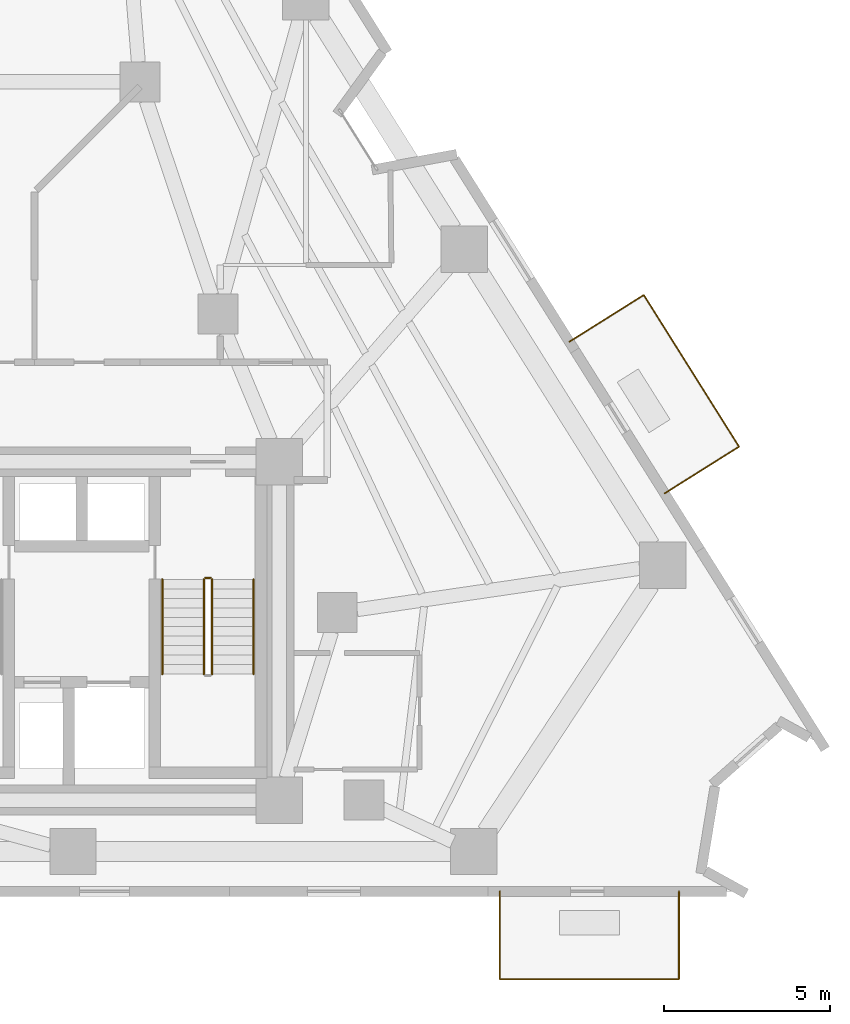
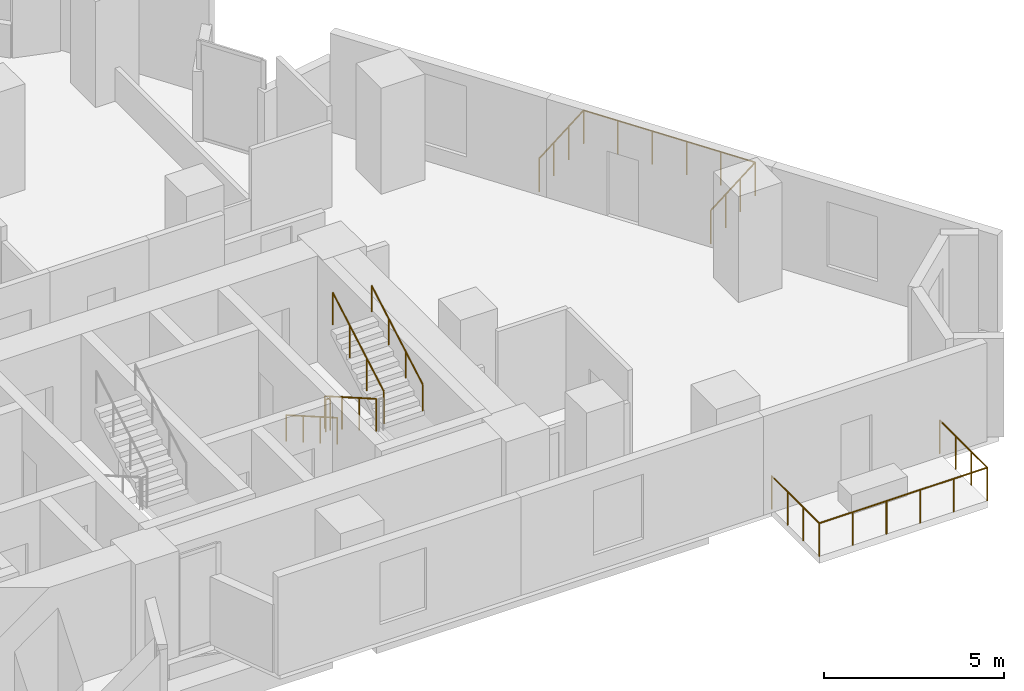
# One storey, part 11 of 12: 7 railings.
"""IFC4 building model written with IfcOpenShell, lengths in metres."""

from ifc_helpers import new_model, si_unit, direction, frame, origin, origin_2d, place, context, subcontext, project, spatial, circle, extrude, material, type_object, element, save


model = new_model("IFC4")

# Units and contexts
model_context = context("Model", 3, precision=1e-05, world=origin(), true_north=direction((0.0, 1.0)))
body_context = subcontext(model_context, "Body", "Model", "MODEL_VIEW")
ifc_project = project(units=[si_unit("LENGTHUNIT", "METRE"), si_unit("AREAUNIT", "SQUARE_METRE"), si_unit("VOLUMEUNIT", "CUBIC_METRE"), si_unit("PLANEANGLEUNIT", "RADIAN"), si_unit("MASSUNIT", "GRAM", prefix="KILO")], contexts=[model_context])

# Site, building, storey
site_placement = place(None, origin())
site = spatial("IfcSite", under=ifc_project, at=site_placement, CompositionType="ELEMENT")
building_placement = place(site_placement, origin())
building = spatial("IfcBuilding", under=site, at=building_placement, Name="Almagre Mirador Tower", CompositionType="ELEMENT")
storey_placement = place(building_placement, frame((0.0, 0.0, 71.39990234375)))
storey = spatial("IfcBuildingStorey", under=building, at=storey_placement, Name="L17", CompositionType="ELEMENT", Elevation=71.39990234375)

# Railings
ifc_material_1 = material(Name="Black anodized aluminium", Category="aluminium")
railing_type_1 = type_object("IfcRailingType", Name="RLG-BAL-1150", PredefinedType="BALUSTRADE", material=ifc_material_1)
railing_1_placement = place(storey_placement, frame((53.699951171875, 1.800048828125, 0.0)))
element("IfcRailing", 1, at=railing_1_placement, inside=storey, type_object=railing_type_1, Name="L17 south balcony balustrade 1", PredefinedType="BALUSTRADE", context=body_context, shape_type="SweptSolid", body=[
    extrude(circle(Radius=0.02392578125, at=origin_2d()), frame((0.0, 0.0, 1.1259765625), z_axis=(0.0, -1.0, 0.0), x_axis=(1.0, 0.0, 0.0)), (0.0, 0.0, 1.0), 2.650146484375),
    extrude(circle(Radius=0.02392578125, at=origin_2d()), frame((0.0, -2.650146484375, 1.1259765625), z_axis=(1.0, 0.0, 0.0), x_axis=(0.0, 1.0, 0.0)), (0.0, 0.0, 1.0), 5.400146484375),
    extrude(circle(Radius=0.02392578125, at=origin_2d()), frame((5.400146484375, -2.650146484375, 1.1259765625), z_axis=(0.0, 1.0, 0.0), x_axis=(-1.0, 0.0, 0.0)), (0.0, 0.0, 1.0), 2.650146484375),
    extrude(circle(Radius=0.02099609375, at=origin_2d()), origin(), (0.0, 0.0, 1.0), 1.101806640625),
    extrude(circle(Radius=0.02099609375, at=origin_2d()), frame((0.0, -0.88330078125, 0.0)), (0.0, 0.0, 1.0), 1.101806640625),
    extrude(circle(Radius=0.02099609375, at=origin_2d()), frame((0.0, -1.766845703125, 0.0)), (0.0, 0.0, 1.0), 1.101806640625),
    extrude(circle(Radius=0.02099609375, at=origin_2d()), frame((0.0, -2.650146484375, 0.0)), (0.0, 0.0, 1.0), 1.101806640625),
    extrude(circle(Radius=0.02099609375, at=origin_2d()), frame((1.080078125, -2.650146484375, 0.0)), (0.0, 0.0, 1.0), 1.101806640625),
    extrude(circle(Radius=0.02099609375, at=origin_2d()), frame((2.16015625, -2.650146484375, 0.0)), (0.0, 0.0, 1.0), 1.101806640625),
    extrude(circle(Radius=0.02099609375, at=origin_2d()), frame((3.239990234375, -2.650146484375, 0.0)), (0.0, 0.0, 1.0), 1.101806640625),
    extrude(circle(Radius=0.02099609375, at=origin_2d()), frame((4.320068359375, -2.650146484375, 0.0)), (0.0, 0.0, 1.0), 1.101806640625),
    extrude(circle(Radius=0.02099609375, at=origin_2d()), frame((5.400146484375, -2.650146484375, 0.0)), (0.0, 0.0, 1.0), 1.101806640625),
    extrude(circle(Radius=0.02099609375, at=origin_2d()), frame((5.400146484375, -1.766845703125, 0.0)), (0.0, 0.0, 1.0), 1.101806640625),
    extrude(circle(Radius=0.02099609375, at=origin_2d()), frame((5.400146484375, -0.88330078125, 0.0)), (0.0, 0.0, 1.0), 1.101806640625),
    extrude(circle(Radius=0.02099609375, at=origin_2d()), frame((5.400146484375, 0.0, 0.0)), (0.0, 0.0, 1.0), 1.101806640625),
])
railing_2_placement = place(storey_placement, frame((58.666015625, 13.7939453125, 0.0)))
element("IfcRailing", 2, at=railing_2_placement, inside=storey, type_object=railing_type_1, Name="L17 east balcony balustrade 2", PredefinedType="BALUSTRADE", context=body_context, shape_type="SweptSolid", body=[
    extrude(circle(Radius=0.02392578125, at=origin_2d()), frame((0.0, 0.0, 1.1259765625), z_axis=(0.846893849006, 0.531761984835, 0.0), x_axis=(-0.531761984835, 0.846893849006, 0.0)), (0.0, 0.0, 1.0), 2.649658203125),
    extrude(circle(Radius=0.02392578125, at=origin_2d()), frame((2.243896484375, 1.408935546875, 1.1259765625), z_axis=(-0.531822427287, 0.846855894373, 0.0), x_axis=(-0.846855894373, -0.531822427287, 0.0)), (0.0, 0.0, 1.0), 5.39990234375),
    extrude(circle(Radius=0.02392578125, at=origin_2d()), frame((-0.6279296875, 5.98193359375, 1.1259765625), z_axis=(-0.846753927237, -0.531984761727, 0.0), x_axis=(0.531984761727, -0.846753927237, 0.0)), (0.0, 0.0, 1.0), 2.650390625),
    extrude(circle(Radius=0.02099609375, at=origin_2d()), origin(), (0.0, 0.0, 1.0), 1.101806640625),
    extrude(circle(Radius=0.02099609375, at=origin_2d()), frame((0.748046875, 0.4697265625, 0.0)), (0.0, 0.0, 1.0), 1.101806640625),
    extrude(circle(Radius=0.02099609375, at=origin_2d()), frame((1.495849609375, 0.939208984375, 0.0)), (0.0, 0.0, 1.0), 1.101806640625),
    extrude(circle(Radius=0.02099609375, at=origin_2d()), frame((2.243896484375, 1.408935546875, 0.0)), (0.0, 0.0, 1.0), 1.101806640625),
    extrude(circle(Radius=0.02099609375, at=origin_2d()), frame((1.66943359375, 2.323486328125, 0.0)), (0.0, 0.0, 1.0), 1.101806640625),
    extrude(circle(Radius=0.02099609375, at=origin_2d()), frame((1.09521484375, 3.238037109375, 0.0)), (0.0, 0.0, 1.0), 1.101806640625),
    extrude(circle(Radius=0.02099609375, at=origin_2d()), frame((0.520751953125, 4.15283203125, 0.0)), (0.0, 0.0, 1.0), 1.101806640625),
    extrude(circle(Radius=0.02099609375, at=origin_2d()), frame((-0.053466796875, 5.0673828125, 0.0)), (0.0, 0.0, 1.0), 1.101806640625),
    extrude(circle(Radius=0.02099609375, at=origin_2d()), frame((-0.6279296875, 5.98193359375, 0.0)), (0.0, 0.0, 1.0), 1.101806640625),
    extrude(circle(Radius=0.02099609375, at=origin_2d()), frame((-1.3759765625, 5.511962890625, 0.0)), (0.0, 0.0, 1.0), 1.101806640625),
    extrude(circle(Radius=0.02099609375, at=origin_2d()), frame((-2.1240234375, 5.0419921875, 0.0)), (0.0, 0.0, 1.0), 1.101806640625),
    extrude(circle(Radius=0.02099609375, at=origin_2d()), frame((-2.8720703125, 4.572021484375, 0.0)), (0.0, 0.0, 1.0), 1.101806640625),
])
ifc_material_2 = material(Name="Painted galvanized steel", Category="steel")
railing_type_2 = type_object("IfcRailingType", Name="RLG-GRD-1100", PredefinedType="GUARDRAIL", material=ifc_material_2)
railing_3_placement = place(storey_placement, frame((44.77490234375, 11.199951171875, 0.163818359375)))
element("IfcRailing", 3, at=railing_3_placement, inside=storey, type_object=railing_type_2, Name="L17 ST-3 stair guard 1", PredefinedType="GUARDRAIL", context=body_context, shape_type="SweptSolid", body=[
    extrude(circle(Radius=0.02392578125, at=origin_2d()), frame((0.0, 0.0, 1.09619140625), z_axis=(0.0, -0.867226363773, 0.497914082927), x_axis=(1.0, 0.0, 0.0)), (0.0, 0.0, 1.0), 3.2861328125),
    extrude(circle(Radius=0.02099609375, at=origin_2d()), origin(), (0.0, 0.0, 1.0), 1.072021484375),
    extrude(circle(Radius=0.02099609375, at=origin_2d()), frame((0.0, -0.949951171875, 0.54541015625)), (0.0, 0.0, 1.0), 1.072021484375),
    extrude(circle(Radius=0.02099609375, at=origin_2d()), frame((0.0, -1.89990234375, 1.0908203125)), (0.0, 0.0, 1.0), 1.072021484375),
    extrude(circle(Radius=0.02099609375, at=origin_2d()), frame((0.0, -2.849853515625, 1.63623046875)), (0.0, 0.0, 1.0), 1.072021484375),
])
railing_4_placement = place(storey_placement, frame((45.02490234375, 8.35009765625, 1.963623046875)))
element("IfcRailing", 4, at=railing_4_placement, inside=storey, type_object=railing_type_2, Name="L17 ST-3 stair guard 3", PredefinedType="GUARDRAIL", context=body_context, shape_type="SweptSolid", body=[
    extrude(circle(Radius=0.02392578125, at=origin_2d()), frame((0.0, 0.0, 1.09619140625), z_axis=(0.0, 0.867194282975, 0.497969954491), x_axis=(-1.0, 0.0, 0.0)), (0.0, 0.0, 1.0), 3.286376953125),
    extrude(circle(Radius=0.02099609375, at=origin_2d()), origin(), (0.0, 0.0, 1.0), 1.072021484375),
    extrude(circle(Radius=0.02099609375, at=origin_2d()), frame((0.0, 0.949951171875, 0.54541015625)), (0.0, 0.0, 1.0), 1.072021484375),
    extrude(circle(Radius=0.02099609375, at=origin_2d()), frame((0.0, 1.89990234375, 1.091064453125)), (0.0, 0.0, 1.0), 1.072021484375),
    extrude(circle(Radius=0.02099609375, at=origin_2d()), frame((0.0, 2.849853515625, 1.636474609375)), (0.0, 0.0, 1.0), 1.072021484375),
])
railing_5_placement = place(storey_placement, frame((44.824951171875, 11.25, 0.0)))
element("IfcRailing", 5, at=railing_5_placement, inside=storey, type_object=railing_type_2, Name="L17 ST-3 stair guard 4", PredefinedType="GUARDRAIL", context=body_context, shape_type="SweptSolid", body=[
    extrude(circle(Radius=0.02392578125, at=origin_2d()), frame((0.0, 0.0, 1.09619140625), z_axis=(1.0, 0.0, 0.0), x_axis=(0.0, 1.0, 0.0)), (0.0, 0.0, 1.0), 0.150146484375),
    extrude(circle(Radius=0.02099609375, at=origin_2d()), origin(), (0.0, 0.0, 1.0), 1.072021484375),
    extrude(circle(Radius=0.02099609375, at=origin_2d()), frame((0.150146484375, 0.0, 0.0)), (0.0, 0.0, 1.0), 1.072021484375),
])
ifc_material_3 = material(Name="Brushed stainless steel", Category="steel")
railing_type_3 = type_object("IfcRailingType", Name="RLG-HND-915", PredefinedType="HANDRAIL", material=ifc_material_3)
railing_6_placement = place(storey_placement, frame((43.52490234375, 11.199951171875, 0.163818359375)))
element("IfcRailing", 6, at=railing_6_placement, inside=storey, type_object=railing_type_3, Name="L17 ST-3 stair handrail 1", PredefinedType="HANDRAIL", context=body_context, shape_type="SweptSolid", body=[
    extrude(circle(Radius=0.02392578125, at=origin_2d()), frame((0.0, 0.0, 0.89111328125), z_axis=(0.0, -0.867226363773, 0.497914082927), x_axis=(1.0, 0.0, 0.0)), (0.0, 0.0, 1.0), 3.2861328125),
    extrude(circle(Radius=0.02099609375, at=origin_2d()), origin(), (0.0, 0.0, 1.0), 0.866943359375),
    extrude(circle(Radius=0.02099609375, at=origin_2d()), frame((0.0, -0.949951171875, 0.54541015625)), (0.0, 0.0, 1.0), 0.866943359375),
    extrude(circle(Radius=0.02099609375, at=origin_2d()), frame((0.0, -1.89990234375, 1.0908203125)), (0.0, 0.0, 1.0), 0.866943359375),
    extrude(circle(Radius=0.02099609375, at=origin_2d()), frame((0.0, -2.849853515625, 1.63623046875)), (0.0, 0.0, 1.0), 0.866943359375),
])
railing_7_placement = place(storey_placement, frame((46.27490234375, 8.35009765625, 1.963623046875)))
element("IfcRailing", 7, at=railing_7_placement, inside=storey, type_object=railing_type_3, Name="L17 ST-3 stair handrail 2", PredefinedType="HANDRAIL", context=body_context, shape_type="SweptSolid", body=[
    extrude(circle(Radius=0.02392578125, at=origin_2d()), frame((0.0, 0.0, 0.89111328125), z_axis=(0.0, 0.867194282975, 0.497969954491), x_axis=(-1.0, 0.0, 0.0)), (0.0, 0.0, 1.0), 3.286376953125),
    extrude(circle(Radius=0.02099609375, at=origin_2d()), origin(), (0.0, 0.0, 1.0), 0.866943359375),
    extrude(circle(Radius=0.02099609375, at=origin_2d()), frame((0.0, 0.949951171875, 0.54541015625)), (0.0, 0.0, 1.0), 0.866943359375),
    extrude(circle(Radius=0.02099609375, at=origin_2d()), frame((0.0, 1.89990234375, 1.091064453125)), (0.0, 0.0, 1.0), 0.866943359375),
    extrude(circle(Radius=0.02099609375, at=origin_2d()), frame((0.0, 2.849853515625, 1.636474609375)), (0.0, 0.0, 1.0), 0.866943359375),
])

save(model, "model.ifc")
